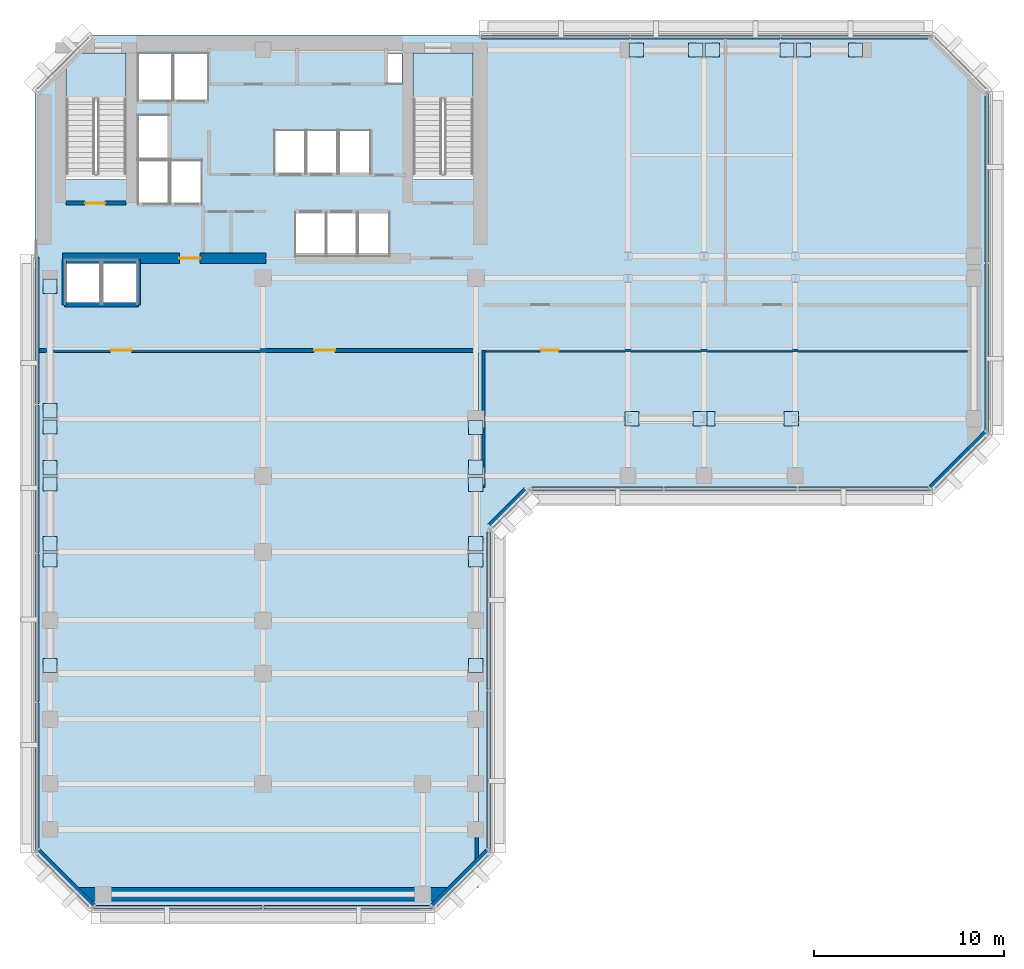
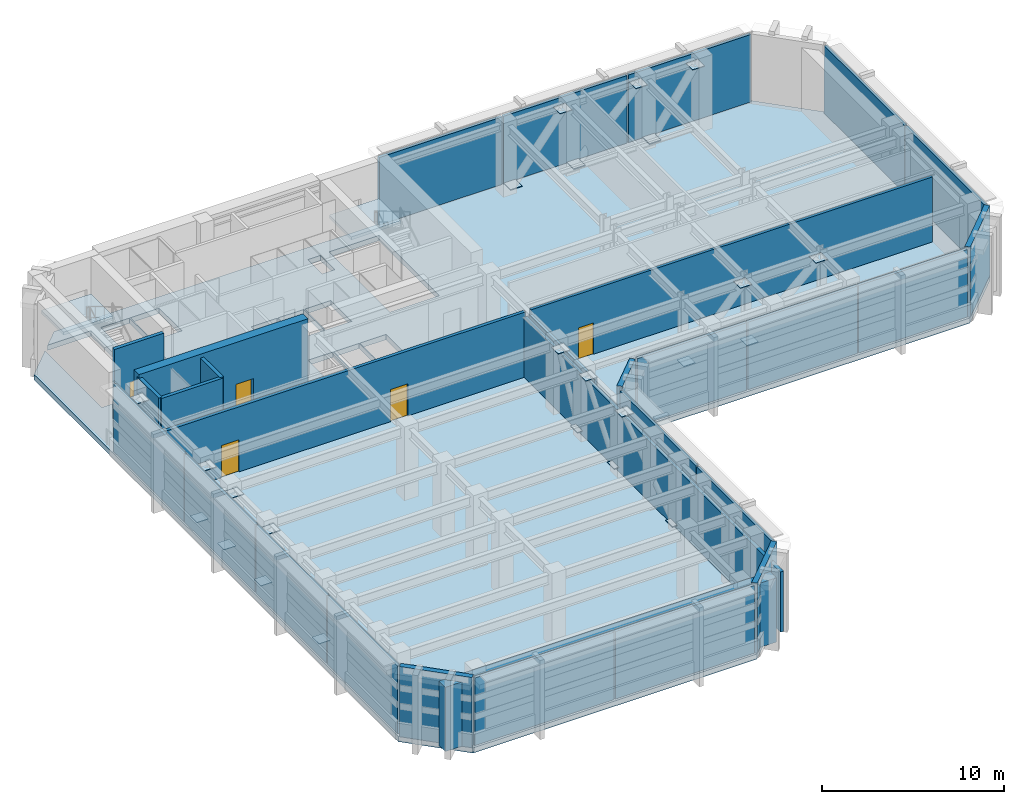
# One storey, part 6 of 12: 40 plates, 14 walls, 5 doors, 3 slabs, 5 openings, 8 elements without a shape of their own.
"""IFC4 building model written with IfcOpenShell, lengths in metres."""

from ifc_helpers import new_model, si_unit, direction, frame, frame_2d, origin, origin_2d, place, context, subcontext, project, spatial, polyline, rectangle, outline, extrude, material, layer, layer_set, type_object, element, fill, aggregate, save


model = new_model("IFC4")

# Units and contexts
model_context = context("Model", 3, precision=1e-05, world=origin(), true_north=direction((0.0, 1.0)))
body_context = subcontext(model_context, "Body", "Model", "MODEL_VIEW")
ifc_project = project(units=[si_unit("LENGTHUNIT", "METRE"), si_unit("AREAUNIT", "SQUARE_METRE"), si_unit("VOLUMEUNIT", "CUBIC_METRE"), si_unit("PLANEANGLEUNIT", "RADIAN"), si_unit("MASSUNIT", "GRAM", prefix="KILO")], contexts=[model_context])

# Site, building, storey
site_placement = place(None, origin())
site = spatial("IfcSite", under=ifc_project, at=site_placement, CompositionType="ELEMENT")
building_placement = place(site_placement, origin())
building = spatial("IfcBuilding", under=site, at=building_placement, Name="Kefirva Bronze Tower", CompositionType="ELEMENT")
storey_placement = place(building_placement, frame((0.0, 0.0, 174.570068359375)))
storey = spatial("IfcBuildingStorey", under=building, at=storey_placement, Name="L42", CompositionType="ELEMENT", Elevation=174.570068359375)

# Curtain wall, plates
ifc_material_1 = material(Name="Bronze anodised aluminium", Category="aluminium")
ifc_layer_1 = layer(ifc_material_1, 0.219970703125, Name="Bronze anodised aluminium")
ifc_layer_set_1 = layer_set([ifc_layer_1], Name="Bronze anodised aluminium")
curtain_wall_type = type_object("IfcCurtainWallType", Name="Refuge Acoustic Louvre Curtain Screen", PredefinedType="USERDEFINED", material=ifc_layer_set_1)
curtain_wall_1_placement = place(storey_placement, origin())
curtain_wall_1 = element("IfcCurtainWall", 1, at=curtain_wall_1_placement, inside=storey, type_object=curtain_wall_type, Name="L42 Curtain Wall 1", ObjectType="LOUVRE SCREEN WALL", PredefinedType="USERDEFINED")
ifc_layer_2 = layer(ifc_material_1, 0.179931640625, Name="Bronze anodised aluminium")
ifc_layer_set_2 = layer_set([ifc_layer_2], Name="Bronze anodised aluminium")
plate_type_1 = type_object("IfcPlateType", Name="Acoustic Weather Louvre Panel 180mm", PredefinedType="CURTAIN_PANEL", material=ifc_layer_set_2)
plate_1_placement = place(storey_placement, frame((7.550048828125, 0.1201171875, 0.08984375), z_axis=(0.0, 0.0, 1.0), x_axis=(1.0, 0.0, 0.0)))
plate_1 = element("IfcPlate", 2, at=plate_1_placement, type_object=plate_type_1, Name="CW-06 panel 1.1", PredefinedType="CURTAIN_PANEL", context=body_context, shape_type="SweptSolid", body=[
    extrude(rectangle(XDim=8.81005859375, YDim=0.179931640625, at=origin_2d()), origin(), (0.0, 0.0, 1.0), 4.52001953125),
])
plate_2_placement = place(storey_placement, frame((16.449951171875, 0.1201171875, 0.08984375), z_axis=(0.0, 0.0, 1.0), x_axis=(1.0, 0.0, 0.0)))
plate_2 = element("IfcPlate", 3, at=plate_2_placement, type_object=plate_type_1, Name="CW-06 panel 2.1", PredefinedType="CURTAIN_PANEL", context=body_context, shape_type="SweptSolid", body=[
    extrude(rectangle(XDim=8.81005859375, YDim=0.179931640625, at=origin_2d()), origin(), (0.0, 0.0, 1.0), 4.52001953125),
])
aggregate(curtain_wall_1, [plate_1, plate_2])

curtain_wall_2_placement = place(storey_placement, origin())
curtain_wall_2 = element("IfcCurtainWall", 4, at=curtain_wall_2_placement, inside=storey, type_object=curtain_wall_type, Name="L42 Curtain Wall 2", ObjectType="LOUVRE SCREEN WALL", PredefinedType="USERDEFINED")
plate_3_placement = place(storey_placement, frame((23.8798828125, 7.300048828125, 0.08984375), z_axis=(0.0, 0.0, 1.0), x_axis=(0.0, 1.0, 0.0)))
plate_3 = element("IfcPlate", 5, at=plate_3_placement, type_object=plate_type_1, Name="CW-06 panel 1.1", PredefinedType="CURTAIN_PANEL", context=body_context, shape_type="SweptSolid", body=[
    extrude(rectangle(XDim=8.31005859375, YDim=0.179931640625, at=origin_2d()), origin(), (0.0, 0.0, 1.0), 4.52001953125),
])
plate_4_placement = place(storey_placement, frame((23.8798828125, 15.699951171875, 0.08984375), z_axis=(0.0, 0.0, 1.0), x_axis=(0.0, 1.0, 0.0)))
plate_4 = element("IfcPlate", 6, at=plate_4_placement, type_object=plate_type_1, Name="CW-06 panel 2.1", PredefinedType="CURTAIN_PANEL", context=body_context, shape_type="SweptSolid", body=[
    extrude(rectangle(XDim=8.31005859375, YDim=0.179931640625, at=origin_2d()), origin(), (0.0, 0.0, 1.0), 4.52001953125),
])
aggregate(curtain_wall_2, [plate_3, plate_4])

curtain_wall_3_placement = place(storey_placement, origin())
curtain_wall_3 = element("IfcCurtainWall", 7, at=curtain_wall_3_placement, inside=storey, type_object=curtain_wall_type, Name="L42 Curtain Wall 3", ObjectType="LOUVRE SCREEN WALL", PredefinedType="USERDEFINED")
plate_5_placement = place(storey_placement, frame((29.592529296875, 22.1201171875, 0.08984375), z_axis=(0.0, 0.0, 1.0), x_axis=(1.0, 0.0, 0.0)))
plate_5 = element("IfcPlate", 8, at=plate_5_placement, type_object=plate_type_1, Name="CW-06 panel 1.1", PredefinedType="CURTAIN_PANEL", context=body_context, shape_type="SweptSolid", body=[
    extrude(rectangle(XDim=6.89501953125, YDim=0.179931640625, at=origin_2d()), origin(), (0.0, 0.0, 1.0), 4.52001953125),
])
plate_6_placement = place(storey_placement, frame((36.60009765625, 22.1201171875, 0.08984375), z_axis=(0.0, 0.0, 1.0), x_axis=(1.0, 0.0, 0.0)))
plate_6 = element("IfcPlate", 9, at=plate_6_placement, type_object=plate_type_1, Name="CW-06 panel 2.1", PredefinedType="CURTAIN_PANEL", context=body_context, shape_type="SweptSolid", body=[
    extrude(rectangle(XDim=6.93994140625, YDim=0.179931640625, at=origin_2d()), origin(), (0.0, 0.0, 1.0), 4.52001953125),
])
plate_7_placement = place(storey_placement, frame((43.607421875, 22.1201171875, 0.08984375), z_axis=(0.0, 0.0, 1.0), x_axis=(1.0, 0.0, 0.0)))
plate_7 = element("IfcPlate", 10, at=plate_7_placement, type_object=plate_type_1, Name="CW-06 panel 3.1", PredefinedType="CURTAIN_PANEL", context=body_context, shape_type="SweptSolid", body=[
    extrude(rectangle(XDim=6.89501953125, YDim=0.179931640625, at=origin_2d()), origin(), (0.0, 0.0, 1.0), 4.52001953125),
])
aggregate(curtain_wall_3, [plate_5, plate_6, plate_7])

curtain_wall_4_placement = place(storey_placement, origin())
curtain_wall_4 = element("IfcCurtainWall", 11, at=curtain_wall_4_placement, inside=storey, type_object=curtain_wall_type, Name="L42 Curtain Wall 4", ObjectType="LOUVRE SCREEN WALL", PredefinedType="USERDEFINED")
plate_8_placement = place(storey_placement, frame((50.080078125, 29.550048828125, 0.08984375), z_axis=(0.0, 0.0, 1.0), x_axis=(0.0, 1.0, 0.0)))
plate_8 = element("IfcPlate", 12, at=plate_8_placement, type_object=plate_type_1, Name="CW-06 panel 1.1", PredefinedType="CURTAIN_PANEL", context=body_context, shape_type="SweptSolid", body=[
    extrude(rectangle(XDim=8.81005859375, YDim=0.179931640625, at=origin_2d()), origin(), (0.0, 0.0, 1.0), 4.52001953125),
])
plate_9_placement = place(storey_placement, frame((50.080078125, 38.449951171875, 0.08984375), z_axis=(0.0, 0.0, 1.0), x_axis=(0.0, 1.0, 0.0)))
plate_9 = element("IfcPlate", 13, at=plate_9_placement, type_object=plate_type_1, Name="CW-06 panel 2.1", PredefinedType="CURTAIN_PANEL", context=body_context, shape_type="SweptSolid", body=[
    extrude(rectangle(XDim=8.81005859375, YDim=0.179931640625, at=origin_2d()), origin(), (0.0, 0.0, 1.0), 4.52001953125),
])
aggregate(curtain_wall_4, [plate_8, plate_9])

curtain_wall_5_placement = place(storey_placement, origin())
curtain_wall_5 = element("IfcCurtainWall", 14, at=curtain_wall_5_placement, inside=storey, type_object=curtain_wall_type, Name="L42 Curtain Wall 5", ObjectType="LOUVRE SCREEN WALL", PredefinedType="USERDEFINED")
plate_10_placement = place(storey_placement, frame((43.165771484375, 45.8798828125, 0.08984375), z_axis=(0.0, 0.0, 1.0), x_axis=(-1.0, 0.0, 0.0)))
plate_10 = element("IfcPlate", 15, at=plate_10_placement, type_object=plate_type_1, Name="CW-06 panel 1.1", PredefinedType="CURTAIN_PANEL", context=body_context, shape_type="SweptSolid", body=[
    extrude(rectangle(XDim=7.7783203125, YDim=0.179931640625, at=origin_2d()), origin(), (0.0, 0.0, 1.0), 4.52001953125),
])
plate_11_placement = place(storey_placement, frame((35.27490234375, 45.8798828125, 0.08984375), z_axis=(0.0, 0.0, 1.0), x_axis=(-1.0, 0.0, 0.0)))
plate_11 = element("IfcPlate", 16, at=plate_11_placement, type_object=plate_type_1, Name="CW-06 panel 2.1", PredefinedType="CURTAIN_PANEL", context=body_context, shape_type="SweptSolid", body=[
    extrude(rectangle(XDim=7.8232421875, YDim=0.179931640625, at=origin_2d()), origin(), (0.0, 0.0, 1.0), 4.52001953125),
])
plate_12_placement = place(storey_placement, frame((27.38427734375, 45.8798828125, 0.08984375), z_axis=(0.0, 0.0, 1.0), x_axis=(-1.0, 0.0, 0.0)))
plate_12 = element("IfcPlate", 17, at=plate_12_placement, type_object=plate_type_1, Name="CW-06 panel 3.1", PredefinedType="CURTAIN_PANEL", context=body_context, shape_type="SweptSolid", body=[
    extrude(rectangle(XDim=7.7783203125, YDim=0.179931640625, at=origin_2d()), origin(), (0.0, 0.0, 1.0), 4.52001953125),
])
aggregate(curtain_wall_5, [plate_10, plate_11, plate_12])

curtain_wall_6_placement = place(storey_placement, origin())
curtain_wall_6 = element("IfcCurtainWall", 18, at=curtain_wall_6_placement, inside=storey, type_object=curtain_wall_type, Name="L42 Curtain Wall 6", ObjectType="LOUVRE SCREEN WALL", PredefinedType="USERDEFINED")
plate_13_placement = place(storey_placement, frame((0.1201171875, 30.455078125, 0.08984375), z_axis=(0.0, 0.0, 1.0), x_axis=(0.0, -1.0, 0.0)))
plate_13 = element("IfcPlate", 19, at=plate_13_placement, type_object=plate_type_1, Name="CW-06 panel 1.1", PredefinedType="CURTAIN_PANEL", context=body_context, shape_type="SweptSolid", body=[
    extrude(rectangle(XDim=7.699951171875, YDim=0.179931640625, at=origin_2d()), origin(), (0.0, 0.0, 1.0), 4.52001953125),
])
plate_14_placement = place(storey_placement, frame((0.1201171875, 22.642578125, 0.08984375), z_axis=(0.0, 0.0, 1.0), x_axis=(0.0, -1.0, 0.0)))
plate_14 = element("IfcPlate", 20, at=plate_14_placement, type_object=plate_type_1, Name="CW-06 panel 2.1", PredefinedType="CURTAIN_PANEL", context=body_context, shape_type="SweptSolid", body=[
    extrude(rectangle(XDim=7.7451171875, YDim=0.179931640625, at=origin_2d()), origin(), (0.0, 0.0, 1.0), 4.52001953125),
])
plate_15_placement = place(storey_placement, frame((0.1201171875, 14.8076171875, 0.08984375), z_axis=(0.0, 0.0, 1.0), x_axis=(0.0, -1.0, 0.0)))
plate_15 = element("IfcPlate", 21, at=plate_15_placement, type_object=plate_type_1, Name="CW-06 panel 3.1", PredefinedType="CURTAIN_PANEL", context=body_context, shape_type="SweptSolid", body=[
    extrude(rectangle(XDim=7.7451171875, YDim=0.179931640625, at=origin_2d()), origin(), (0.0, 0.0, 1.0), 4.52001953125),
])
plate_16_placement = place(storey_placement, frame((0.1201171875, 6.9951171875, 0.08984375), z_axis=(0.0, 0.0, 1.0), x_axis=(0.0, -1.0, 0.0)))
plate_16 = element("IfcPlate", 22, at=plate_16_placement, type_object=plate_type_1, Name="CW-06 panel 4.1", PredefinedType="CURTAIN_PANEL", context=body_context, shape_type="SweptSolid", body=[
    extrude(rectangle(XDim=7.699951171875, YDim=0.179931640625, at=origin_2d()), origin(), (0.0, 0.0, 1.0), 4.52001953125),
])
aggregate(curtain_wall_6, [plate_13, plate_14, plate_15, plate_16])

# Slab
ifc_material_2 = material(Name="Concrete C50/60", Category="concrete")
ifc_layer_3 = layer(ifc_material_2, 0.35009765625, Name="Concrete C50/60")
ifc_layer_set_3 = layer_set([ifc_layer_3], Name="Concrete C50/60")
slab_type_1 = type_object("IfcSlabType", Name="RC Refuge Plant Slab 350mm", PredefinedType="FLOOR", material=ifc_layer_set_3)
slab_1_placement = place(storey_placement, frame((0.0, 0.0, -0.35009765625)))
element("IfcSlab", 23, at=slab_1_placement, inside=storey, type_object=slab_type_1, Name="L42 Structural Floor Slab", PredefinedType="FLOOR", context=body_context, shape_type="SweptSolid", body=[
    extrude(outline(polyline([(0.0, 3.0), (0.0, 43.0), (1.64990234375, 44.64990234375), (1.64990234375, 38.39990234375), (4.800048828125, 38.39990234375), (4.800048828125, 45.050048828125), (2.050048828125, 45.050048828125), (3.0, 46.0), (47.199951171875, 46.0), (50.199951171875, 43.0), (50.199951171875, 25.0), (47.199951171875, 22.0), (26.0, 22.0), (24.0, 20.0), (24.0, 3.0), (21.0, 0.0), (3.0, 0.0), (0.0, 3.0)]), holes=[polyline([(23.050048828125, 38.39990234375), (23.050048828125, 45.050048828125), (19.89990234375, 45.050048828125), (19.89990234375, 38.39990234375), (23.050048828125, 38.39990234375)]), polyline([(19.320068359375, 43.419921875), (19.320068359375, 45.0), (18.52001953125, 45.0), (18.52001953125, 43.419921875), (19.320068359375, 43.419921875)]), polyline([(18.64990234375, 34.35009765625), (18.64990234375, 36.64990234375), (17.0, 36.64990234375), (17.0, 34.35009765625), (18.64990234375, 34.35009765625)]), polyline([(17.64990234375, 38.679931640625), (17.64990234375, 40.97998046875), (16.0, 40.97998046875), (16.0, 38.679931640625), (17.64990234375, 38.679931640625)]), polyline([(16.949951171875, 34.35009765625), (16.949951171875, 36.64990234375), (15.35009765625, 36.64990234375), (15.35009765625, 34.35009765625), (16.949951171875, 34.35009765625)]), polyline([(15.929931640625, 38.679931640625), (15.929931640625, 40.97998046875), (14.300048828125, 40.97998046875), (14.300048828125, 38.679931640625), (15.929931640625, 38.679931640625)]), polyline([(15.300048828125, 34.35009765625), (15.300048828125, 36.64990234375), (13.699951171875, 36.64990234375), (13.699951171875, 34.35009765625), (15.300048828125, 34.35009765625)]), polyline([(14.22998046875, 38.679931640625), (14.22998046875, 40.97998046875), (12.60009765625, 40.97998046875), (12.60009765625, 38.679931640625), (14.22998046875, 38.679931640625)]), polyline([(9.1201171875, 42.550048828125), (9.1201171875, 45.050048828125), (7.300048828125, 45.050048828125), (7.300048828125, 42.550048828125), (9.1201171875, 42.550048828125)]), polyline([(8.780029296875, 37.10009765625), (8.780029296875, 39.39990234375), (7.139892578125, 39.39990234375), (7.139892578125, 37.10009765625), (8.780029296875, 37.10009765625)]), polyline([(7.239990234375, 42.550048828125), (7.239990234375, 45.050048828125), (5.419921875, 45.050048828125), (5.419921875, 42.550048828125), (7.239990234375, 42.550048828125)]), polyline([(7.06005859375, 37.10009765625), (7.06005859375, 39.39990234375), (5.419921875, 39.39990234375), (5.419921875, 37.10009765625), (7.06005859375, 37.10009765625)]), polyline([(7.06005859375, 39.47998046875), (7.06005859375, 41.780029296875), (5.419921875, 41.780029296875), (5.419921875, 39.47998046875), (7.06005859375, 39.47998046875)]), polyline([(5.39990234375, 31.85009765625), (5.39990234375, 34.14990234375), (3.550048828125, 34.14990234375), (3.550048828125, 31.85009765625), (5.39990234375, 31.85009765625)]), polyline([(3.449951171875, 31.85009765625), (3.449951171875, 34.14990234375), (1.60009765625, 34.14990234375), (1.60009765625, 31.85009765625), (3.449951171875, 31.85009765625)])]), origin(), (0.0, 0.0, 1.0), 0.35009765625),
])

# Stair, slab
ifc_material_3 = material(Name="Concrete C40/50", Category="concrete")
stair_type = type_object("IfcStairType", Name="RC Dogleg Protected Stair 24R", PredefinedType="HALF_TURN_STAIR", material=ifc_material_3)
stair_1_placement = place(storey_placement, origin())
stair_1 = element("IfcStair", 24, at=stair_1_placement, inside=storey, type_object=stair_type, Name="L42 Protected Exit Stair 1", PredefinedType="HALF_TURN_STAIR")
ifc_layer_4 = layer(ifc_material_3, 0.199951171875, Name="Concrete C40/50")
ifc_layer_set_4 = layer_set([ifc_layer_4], Name="Concrete C40/50")
slab_type_2 = type_object("IfcSlabType", Name="RC Stair Landing Slab 200mm", PredefinedType="LANDING", material=ifc_layer_set_4)
slab_2_placement = place(storey_placement, frame((0.0, 0.0, 2.27490234375)))
slab_2 = element("IfcSlab", 25, at=slab_2_placement, type_object=slab_type_2, Name="ST-1 landing 1", PredefinedType="LANDING", context=body_context, shape_type="SweptSolid", body=[
    extrude(outline(polyline([(4.800048828125, 42.6201171875), (4.800048828125, 45.050048828125), (1.64990234375, 45.050048828125), (1.64990234375, 42.6201171875), (4.800048828125, 42.6201171875)])), origin(), (0.0, 0.0, 1.0), 0.199951171875),
])
aggregate(stair_1, [slab_2])

stair_2_placement = place(storey_placement, origin())
stair_2 = element("IfcStair", 26, at=stair_2_placement, inside=storey, type_object=stair_type, Name="L42 Protected Exit Stair 2", PredefinedType="HALF_TURN_STAIR")
slab_3_placement = place(storey_placement, frame((0.0, 0.0, 2.27490234375)))
slab_3 = element("IfcSlab", 27, at=slab_3_placement, type_object=slab_type_2, Name="ST-2 landing 1", PredefinedType="LANDING", context=body_context, shape_type="SweptSolid", body=[
    extrude(outline(polyline([(23.050048828125, 42.6201171875), (23.050048828125, 45.050048828125), (19.89990234375, 45.050048828125), (19.89990234375, 42.6201171875), (23.050048828125, 42.6201171875)])), origin(), (0.0, 0.0, 1.0), 0.199951171875),
])
aggregate(stair_2, [slab_3])

# Plates
ifc_material_4 = material(Name="Steel S460", Category="steel")
ifc_layer_5 = layer(ifc_material_4, 0.0400390625, Name="Steel S460")
ifc_layer_set_5 = layer_set([ifc_layer_5], Name="Steel S460")
plate_type_2 = type_object("IfcPlateType", Name="Steel Node Gusset Plate 40mm", PredefinedType="USERDEFINED", material=ifc_layer_set_5)
for number, where, z_axis, x_axis, name in (
    (28, (0.800048828125, 12.830078125, 0.280029296875), (0.0, 0.0, 1.0), (1.0, 0.0, 0.0), "L42 Belt Node Gusset 1-1"),
    (29, (0.800048828125, 18.3701171875, 4.280029296875), (0.0, 0.0, 1.0), (1.0, 0.0, 0.0), "L42 Belt Node Gusset 1-2"),
    (30, (0.800048828125, 19.22998046875, 0.280029296875), (0.0, 0.0, 1.0), (1.0, 0.0, 0.0), "L42 Belt Node Gusset 2-1"),
    (31, (0.800048828125, 22.3701171875, 4.280029296875), (0.0, 0.0, 1.0), (1.0, 0.0, 0.0), "L42 Belt Node Gusset 2-2"),
    (32, (0.800048828125, 23.22998046875, 0.280029296875), (0.0, 0.0, 1.0), (1.0, 0.0, 0.0), "L42 Belt Node Gusset 3-1"),
    (33, (0.800048828125, 25.3701171875, 4.280029296875), (0.0, 0.0, 1.0), (1.0, 0.0, 0.0), "L42 Belt Node Gusset 3-2"),
    (34, (0.800048828125, 26.22998046875, 0.280029296875), (0.0, 0.0, 1.0), (1.0, 0.0, 0.0), "L42 Belt Node Gusset 4-1"),
    (35, (0.800048828125, 32.77001953125, 4.280029296875), (0.0, 0.0, 1.0), (1.0, 0.0, 0.0), "L42 Belt Node Gusset 4-2"),
    (36, (23.199951171875, 12.830078125, 0.280029296875), (0.0, 0.0, 1.0), (1.0, 0.0, 0.0), "L42 Belt Node Gusset 5-1"),
    (37, (23.199951171875, 18.3701171875, 4.280029296875), (0.0, 0.0, 1.0), (1.0, 0.0, 0.0), "L42 Belt Node Gusset 5-2"),
    (38, (23.199951171875, 19.22998046875, 0.280029296875), (0.0, 0.0, 1.0), (1.0, 0.0, 0.0), "L42 Belt Node Gusset 6-1"),
    (39, (23.199951171875, 22.35009765625, 4.280029296875), (0.0, 0.0, 1.0), (1.0, 0.0, 0.0), "L42 Belt Node Gusset 6-2"),
    (40, (23.199951171875, 23.25, 0.280029296875), (0.0, 0.0, 1.0), (1.0, 0.0, 0.0), "L42 Belt Node Gusset 7-1"),
    (41, (23.199951171875, 25.35009765625, 4.280029296875), (0.0, 0.0, 1.0), (1.0, 0.0, 0.0), "L42 Belt Node Gusset 7-2"),
    (42, (31.408935546875, 25.800048828125, 0.280029296875), (0.0, 0.0, 1.0), (1.0, 0.0, 0.0), "L42 Belt Node Gusset 8-1"),
    (43, (34.990966796875, 25.800048828125, 4.280029296875), (0.0, 0.0, 1.0), (1.0, 0.0, 0.0), "L42 Belt Node Gusset 8-2"),
    (44, (35.408935546875, 25.800048828125, 0.280029296875), (0.0, 0.0, 1.0), (1.0, 0.0, 0.0), "L42 Belt Node Gusset 9-1"),
    (45, (39.791015625, 25.800048828125, 4.280029296875), (0.0, 0.0, 1.0), (1.0, 0.0, 0.0), "L42 Belt Node Gusset 9-2"),
    (46, (31.6298828125, 45.199951171875, 0.280029296875), (0.0, 0.0, 1.0), (1.0, 0.0, 0.0), "L42 Belt Node Gusset 10-1"),
    (47, (34.77001953125, 45.199951171875, 4.280029296875), (0.0, 0.0, 1.0), (1.0, 0.0, 0.0), "L42 Belt Node Gusset 10-2"),
    (48, (35.6298828125, 45.199951171875, 0.280029296875), (0.0, 0.0, 1.0), (1.0, 0.0, 0.0), "L42 Belt Node Gusset 11-1"),
    (49, (39.570068359375, 45.199951171875, 4.280029296875), (0.0, 0.0, 1.0), (1.0, 0.0, 0.0), "L42 Belt Node Gusset 11-2"),
    (50, (40.429931640625, 45.199951171875, 0.280029296875), (0.0, 0.0, 1.0), (1.0, 0.0, 0.0), "L42 Belt Node Gusset 12-1"),
    (51, (43.169921875, 45.199951171875, 4.280029296875), (0.0, 0.0, 1.0), (1.0, 0.0, 0.0), "L42 Belt Node Gusset 12-2"),
):
    element("IfcPlate", number, at=place(storey_placement, frame(where, z_axis=z_axis, x_axis=x_axis)), inside=storey, type_object=plate_type_2, Name=name, ObjectType="GUSSET PLATE", PredefinedType="USERDEFINED", context=body_context, shape_type="SweptSolid", body=[
        extrude(rectangle(XDim=0.75, YDim=0.75, at=origin_2d()), origin(), (0.0, 0.0, 1.0), 0.0400390625),
    ])

# Wall, opening, door
ifc_material_5 = material(Name="Gypsum fireboard shaftwall")
ifc_layer_6 = layer(ifc_material_5, 0.219970703125, Name="Gypsum fireboard shaftwall")
ifc_layer_set_6 = layer_set([ifc_layer_6], Name="Gypsum fireboard shaftwall")
wall_type_1 = type_object("IfcWallType", Name="Fire-Rated Shaft Enclosure Wall 220mm", PredefinedType="PARTITIONING", material=ifc_layer_set_6)
wall_1_placement = place(storey_placement, frame((1.64990234375, 37.14990234375, 0.0), z_axis=(0.0, 0.0, 1.0), x_axis=(1.0, 0.0, 0.0)))
wall_1 = element("IfcWall", 52, at=wall_1_placement, inside=storey, type_object=wall_type_1, Name="L42 Partition W-L42-ST1S", PredefinedType="PARTITIONING", context=body_context, shape_type="SweptSolid", body=[
    extrude(rectangle(XDim=3.150146484375, YDim=0.219970703125, at=frame_2d((1.5751953125, 0.0))), origin(), (0.0, 0.0, 1.0), 4.699951171875),
])
opening_1_placement = place(wall_1_placement, frame((2.050048828125, 0.0, 0.0), z_axis=(0.0, 0.0, 1.0), x_axis=(-1.0, 0.0, 0.0)))
opening_1 = element("IfcOpeningElement", 53, at=opening_1_placement, cuts=wall_1, Name="Opening L42-D001", PredefinedType="OPENING", context=body_context, shape_type="SweptSolid", body=[
    extrude(rectangle(XDim=1.050048828125, YDim=2.14990234375, at=frame_2d((0.52490234375, 1.074951171875))), frame((0.0, 0.1201171875, 0.0), z_axis=(0.0, -1.0, 0.0), x_axis=(1.0, 0.0, 0.0)), (0.0, 0.0, 1.0), 0.239990234375),
])
ifc_material_6 = material(Name="Painted galvanized steel", Category="steel")
door_type_1 = type_object("IfcDoorType", Name="Fire Stair Enclosure Door 1050x2150 FD90S", OperationType="NOTDEFINED", PredefinedType="DOOR", material=ifc_material_6)
door_1_placement = place(opening_1_placement, origin())
door_1 = element("IfcDoor", 54, at=door_1_placement, inside=storey, type_object=door_type_1, Name="Door L42-D001", OperationType="SINGLE_SWING_RIGHT", OverallHeight=2.14990234375, OverallWidth=1.050048828125, PredefinedType="DOOR", context=body_context, shape_type="SweptSolid", body=[
    extrude(rectangle(XDim=1.050048828125, YDim=2.14990234375, at=frame_2d((0.52490234375, 1.074951171875))), frame((0.0, 0.02490234375, 0.0), z_axis=(0.0, -1.0, 0.0), x_axis=(1.0, 0.0, 0.0)), (0.0, 0.0, 1.0), 0.050048828125),
])
fill(opening_1, door_1)

# Walls
wall_2_placement = place(storey_placement, frame((1.550048828125, 31.800048828125, 0.0), z_axis=(0.0, 0.0, 1.0), x_axis=(1.0, 0.0, 0.0)))
element("IfcWall", 55, at=wall_2_placement, inside=storey, type_object=wall_type_1, Name="L42 Partition W-L42-OBS", PredefinedType="PARTITIONING", context=body_context, shape_type="SweptSolid", body=[
    extrude(rectangle(XDim=3.89990234375, YDim=0.219970703125, at=frame_2d((1.949951171875, 0.0))), origin(), (0.0, 0.0, 1.0), 4.699951171875),
])
for number, where, z_axis, x_axis, name in (
    (56, (1.550048828125, 31.800048828125, 0.0), (0.0, 0.0, 1.0), (0.0, 1.0, 0.0), "L42 Partition W-L42-OBW"),
    (57, (5.449951171875, 31.800048828125, 0.0), (0.0, 0.0, 1.0), (0.0, 1.0, 0.0), "L42 Partition W-L42-OBE"),
):
    element("IfcWall", number, at=place(storey_placement, frame(where, z_axis=z_axis, x_axis=x_axis)), inside=storey, type_object=wall_type_1, Name=name, PredefinedType="PARTITIONING", context=body_context, shape_type="SweptSolid", body=[
        extrude(rectangle(XDim=2.3798828125, YDim=0.219970703125, at=frame_2d((1.18994140625, 0.0))), origin(), (0.0, 0.0, 1.0), 4.699951171875),
    ])

# Wall, openings, doors
ifc_material_7 = material(Name="Gypsum fireboard barrier")
ifc_layer_7 = layer(ifc_material_7, 0.199951171875, Name="Gypsum fireboard barrier")
ifc_layer_set_7 = layer_set([ifc_layer_7], Name="Gypsum fireboard barrier")
wall_type_2 = type_object("IfcWallType", Name="Firefighting Lobby Barrier Wall 200mm", PredefinedType="PARTITIONING", material=ifc_layer_set_7)
wall_3_placement = place(storey_placement, frame((0.18994140625, 29.39990234375, 0.0), z_axis=(0.0, 0.0, 1.0), x_axis=(1.0, 0.0, 0.0)))
wall_3 = element("IfcWall", 58, at=wall_3_placement, inside=storey, type_object=wall_type_2, Name="L42 Partition W-L42-REFS", PredefinedType="PARTITIONING", context=body_context, shape_type="SweptSolid", body=[
    extrude(rectangle(XDim=23.06005859375, YDim=0.199951171875, at=frame_2d((11.530029296875, 0.0))), origin(), (0.0, 0.0, 1.0), 4.35498046875),
])
opening_2_placement = place(wall_3_placement, frame((3.800048828125, 0.0, 0.0)))
opening_2 = element("IfcOpeningElement", 59, at=opening_2_placement, cuts=wall_3, Name="Opening L42-D-REF1", PredefinedType="OPENING", context=body_context, shape_type="SweptSolid", body=[
    extrude(rectangle(XDim=1.10009765625, YDim=2.14990234375, at=frame_2d((0.550048828125, 1.074951171875))), frame((0.0, 0.10986328125, 0.0), z_axis=(0.0, -1.0, 0.0), x_axis=(1.0, 0.0, 0.0)), (0.0, 0.0, 1.0), 0.219970703125),
])
opening_3_placement = place(wall_3_placement, frame((14.5, 0.0, 0.0)))
opening_3 = element("IfcOpeningElement", 60, at=opening_3_placement, cuts=wall_3, Name="Opening L42-D-REF2", PredefinedType="OPENING", context=body_context, shape_type="SweptSolid", body=[
    extrude(rectangle(XDim=1.10009765625, YDim=2.14990234375, at=frame_2d((0.550048828125, 1.074951171875))), frame((0.0, 0.10986328125, 0.0), z_axis=(0.0, -1.0, 0.0), x_axis=(1.0, 0.0, 0.0)), (0.0, 0.0, 1.0), 0.219970703125),
])
door_type_2 = type_object("IfcDoorType", Name="Firefighting Lobby Smoke Door 1100x2150 FD60S", OperationType="NOTDEFINED", PredefinedType="DOOR", material=ifc_material_6)
door_2_placement = place(opening_2_placement, origin())
door_2 = element("IfcDoor", 61, at=door_2_placement, inside=storey, type_object=door_type_2, Name="Door L42-D-REF1", OperationType="SINGLE_SWING_RIGHT", OverallHeight=2.14990234375, OverallWidth=1.10009765625, PredefinedType="DOOR", context=body_context, shape_type="SweptSolid", body=[
    extrude(rectangle(XDim=1.10009765625, YDim=2.14990234375, at=frame_2d((0.550048828125, 1.074951171875))), frame((0.0, 0.02490234375, 0.0), z_axis=(0.0, -1.0, 0.0), x_axis=(1.0, 0.0, 0.0)), (0.0, 0.0, 1.0), 0.050048828125),
])
fill(opening_2, door_2)
door_3_placement = place(opening_3_placement, origin())
door_3 = element("IfcDoor", 62, at=door_3_placement, inside=storey, type_object=door_type_2, Name="Door L42-D-REF2", OperationType="SINGLE_SWING_LEFT", OverallHeight=2.14990234375, OverallWidth=1.10009765625, PredefinedType="DOOR", context=body_context, shape_type="SweptSolid", body=[
    extrude(rectangle(XDim=1.10009765625, YDim=2.14990234375, at=frame_2d((0.550048828125, 1.074951171875))), frame((0.0, 0.02490234375, 0.0), z_axis=(0.0, -1.0, 0.0), x_axis=(1.0, 0.0, 0.0)), (0.0, 0.0, 1.0), 0.050048828125),
])
fill(opening_3, door_3)

# Walls
wall_4_placement = place(storey_placement, frame((23.25, 1.14990234375, 0.0), z_axis=(0.0, 0.0, 1.0), x_axis=(0.0, 1.0, 0.0)))
element("IfcWall", 63, at=wall_4_placement, inside=storey, type_object=wall_type_2, Name="L42 Partition W-L42-REFE", PredefinedType="PARTITIONING", context=body_context, shape_type="SweptSolid", body=[
    extrude(rectangle(XDim=28.150146484375, YDim=0.199951171875, at=frame_2d((14.0751953125, 0.0))), origin(), (0.0, 0.0, 1.0), 4.034912109375),
])
ifc_material_8 = material(Name="Precast concrete C40/50", Category="concrete")
ifc_layer_8 = layer(ifc_material_8, 0.320068359375, Name="Precast concrete C40/50")
ifc_layer_set_8 = layer_set([ifc_layer_8], Name="Precast concrete C40/50")
wall_type_3 = type_object("IfcWallType", Name="Precast Insulated Exterior Wall 320mm", PredefinedType="SOLIDWALL", material=ifc_layer_set_8)
wall_5_placement = place(storey_placement, frame((20.92578125, 0.152099609375, 0.0), z_axis=(0.0, 0.0, 1.0), x_axis=(0.707106781187, 0.707106781187, 0.0)))
element("IfcWall", 64, at=wall_5_placement, inside=storey, type_object=wall_type_3, Name="L42 Exterior Facade Wall 1", PredefinedType="SOLIDWALL", context=body_context, shape_type="SweptSolid", body=[
    extrude(rectangle(XDim=4.132568359375, YDim=0.320068359375, at=frame_2d((2.06640625, 0.0))), origin(), (0.0, 0.0, 1.0), 4.699951171875),
])
wall_6_placement = place(storey_placement, frame((23.92578125, 20.152099609375, 0.0), z_axis=(0.0, 0.0, 1.0), x_axis=(0.707106781187, 0.707106781187, 0.0)))
element("IfcWall", 65, at=wall_6_placement, inside=storey, type_object=wall_type_3, Name="L42 Exterior Facade Wall 2", PredefinedType="SOLIDWALL", context=body_context, shape_type="SweptSolid", body=[
    extrude(rectangle(XDim=2.71826171875, YDim=0.320068359375, at=frame_2d((1.359130859375, 0.0))), origin(), (0.0, 0.0, 1.0), 4.699951171875),
])
for number, where, z_axis, x_axis, name in (
    (66, (47.125732421875, 22.152099609375, 0.0), (0.0, 0.0, 1.0), (0.707136318428, 0.707077242712, 0.0), "L42 Exterior Facade Wall 3"),
    (67, (0.152099609375, 3.07421875, 0.0), (0.0, 0.0, 1.0), (0.707106781187, -0.707106781187, 0.0), "L42 Exterior Facade Wall 6"),
):
    element("IfcWall", number, at=place(storey_placement, frame(where, z_axis=z_axis, x_axis=x_axis)), inside=storey, type_object=wall_type_3, Name=name, PredefinedType="SOLIDWALL", context=body_context, shape_type="SweptSolid", body=[
        extrude(rectangle(XDim=4.132568359375, YDim=0.320068359375, at=frame_2d((2.06640625, 0.0))), origin(), (0.0, 0.0, 1.0), 4.699951171875),
    ])

# Wall, opening, door
ifc_material_9 = material(Name="Gypsum acoustic partition")
ifc_layer_9 = layer(ifc_material_9, 0.159912109375, Name="Gypsum acoustic partition")
ifc_layer_set_9 = layer_set([ifc_layer_9], Name="Gypsum acoustic partition")
wall_type_4 = type_object("IfcWallType", Name="Protected Corridor Partition 160mm", PredefinedType="PARTITIONING", material=ifc_layer_set_9)
wall_7_placement = place(storey_placement, frame((23.60009765625, 29.39990234375, 0.0), z_axis=(0.0, 0.0, 1.0), x_axis=(1.0, 0.0, 0.0)))
wall_7 = element("IfcWall", 68, at=wall_7_placement, inside=storey, type_object=wall_type_4, Name="L42 Partition W-L42-PLTS", PredefinedType="PARTITIONING", context=body_context, shape_type="SweptSolid", body=[
    extrude(rectangle(XDim=25.449951171875, YDim=0.159912109375, at=frame_2d((12.72509765625, 0.0))), origin(), (0.0, 0.0, 1.0), 4.35498046875),
])
opening_4_placement = place(wall_7_placement, frame((3.0, 0.0, 0.0)))
opening_4 = element("IfcOpeningElement", 69, at=opening_4_placement, cuts=wall_7, Name="Opening L42-D-BMS", PredefinedType="OPENING", context=body_context, shape_type="SweptSolid", body=[
    extrude(rectangle(XDim=0.949951171875, YDim=2.10009765625, at=frame_2d((0.47509765625, 1.050048828125))), frame((0.0, 0.08984375, 0.0), z_axis=(0.0, -1.0, 0.0), x_axis=(1.0, 0.0, 0.0)), (0.0, 0.0, 1.0), 0.179931640625),
])
door_type_3 = type_object("IfcDoorType", Name="Riser & Plant Shaft Fire Door 950x2100 FD60S", OperationType="NOTDEFINED", PredefinedType="DOOR", material=ifc_material_6)
door_4_placement = place(opening_4_placement, origin())
door_4 = element("IfcDoor", 70, at=door_4_placement, inside=storey, type_object=door_type_3, Name="Door L42-D-BMS", OperationType="SINGLE_SWING_RIGHT", OverallHeight=2.10009765625, OverallWidth=0.949951171875, PredefinedType="DOOR", context=body_context, shape_type="SweptSolid", body=[
    extrude(rectangle(XDim=0.949951171875, YDim=2.10009765625, at=frame_2d((0.47509765625, 1.050048828125))), frame((0.0, 0.02490234375, 0.0), z_axis=(0.0, -1.0, 0.0), x_axis=(1.0, 0.0, 0.0)), (0.0, 0.0, 1.0), 0.050048828125),
])
fill(opening_4, door_4)

# Wall
wall_8_placement = place(storey_placement, frame((23.60009765625, 22.18994140625, 0.0), z_axis=(0.0, 0.0, 1.0), x_axis=(0.0, 1.0, 0.0)))
element("IfcWall", 71, at=wall_8_placement, inside=storey, type_object=wall_type_4, Name="L42 Partition W-L42-PLTSW", PredefinedType="PARTITIONING", context=body_context, shape_type="SweptSolid", body=[
    extrude(rectangle(XDim=7.2099609375, YDim=0.159912109375, at=frame_2d((3.60498046875, 0.0))), origin(), (0.0, 0.0, 1.0), 4.034912109375),
])

# Wall, opening, door
ifc_material_10 = material(Name="Concrete C60/75", Category="concrete")
ifc_layer_10 = layer(ifc_material_10, 0.75, Name="Concrete C60/75")
ifc_layer_set_10 = layer_set([ifc_layer_10], Name="Concrete C60/75")
wall_type_5 = type_object("IfcWallType", Name="RC Rear Core Interior Wall 750mm", PredefinedType="SHEAR", material=ifc_layer_set_10)
wall_9_placement = place(storey_placement, frame((1.449951171875, 34.25, 0.0), z_axis=(0.0, 0.0, 1.0), x_axis=(1.0, 0.0, 0.0)))
wall_9 = element("IfcWall", 72, at=wall_9_placement, inside=storey, type_object=wall_type_5, Name="L42 Rear Core South-West Shear Wall", PredefinedType="SHEAR", context=body_context, shape_type="SweptSolid", body=[
    extrude(rectangle(XDim=10.7099609375, YDim=0.550048828125, at=frame_2d((5.35498046875, 0.0))), origin(), (0.0, 0.0, 1.0), 4.949951171875),
])
opening_5_placement = place(wall_9_placement, frame((7.25, 0.0, 0.0), z_axis=(0.0, 0.0, 1.0), x_axis=(-1.0, 0.0, 0.0)))
opening_5 = element("IfcOpeningElement", 73, at=opening_5_placement, cuts=wall_9, Name="Opening L42-D002", PredefinedType="OPENING", context=body_context, shape_type="SweptSolid", body=[
    extrude(rectangle(XDim=1.10009765625, YDim=2.14990234375, at=frame_2d((0.550048828125, 1.074951171875))), frame((0.0, 0.28515625, 0.0), z_axis=(0.0, -1.0, 0.0), x_axis=(1.0, 0.0, 0.0)), (0.0, 0.0, 1.0), 0.570068359375),
])
door_5_placement = place(opening_5_placement, origin())
door_5 = element("IfcDoor", 74, at=door_5_placement, inside=storey, type_object=door_type_2, Name="Door L42-D002", OperationType="SINGLE_SWING_LEFT", OverallHeight=2.14990234375, OverallWidth=1.10009765625, PredefinedType="DOOR", context=body_context, shape_type="SweptSolid", body=[
    extrude(rectangle(XDim=1.10009765625, YDim=2.14990234375, at=frame_2d((0.550048828125, 1.074951171875))), frame((0.0, 0.02490234375, 0.0), z_axis=(0.0, -1.0, 0.0), x_axis=(1.0, 0.0, 0.0)), (0.0, 0.0, 1.0), 0.050048828125),
])
fill(opening_5, door_5)

# Wall
ifc_layer_11 = layer(ifc_material_10, 0.699951171875, Name="Concrete C60/75")
ifc_layer_set_11 = layer_set([ifc_layer_11], Name="Concrete C60/75")
wall_type_6 = type_object("IfcWallType", Name="RC Refuge Perimeter Belt Wall 700mm", PredefinedType="SHEAR", material=ifc_layer_set_11)
wall_10_placement = place(storey_placement, frame((1.5, 0.800048828125, 0.0), z_axis=(0.0, 0.0, 1.0), x_axis=(1.0, 0.0, 0.0)))
element("IfcWall", 75, at=wall_10_placement, inside=storey, type_object=wall_type_6, Name="L42 South Perimeter Belt Shear Wall", PredefinedType="SHEAR", context=body_context, shape_type="SweptSolid", body=[
    extrude(rectangle(XDim=21.0, YDim=0.699951171875, at=frame_2d((10.5, 0.0))), origin(), (0.0, 0.0, 1.0), 4.300048828125),
])

save(model, "model.ifc")
